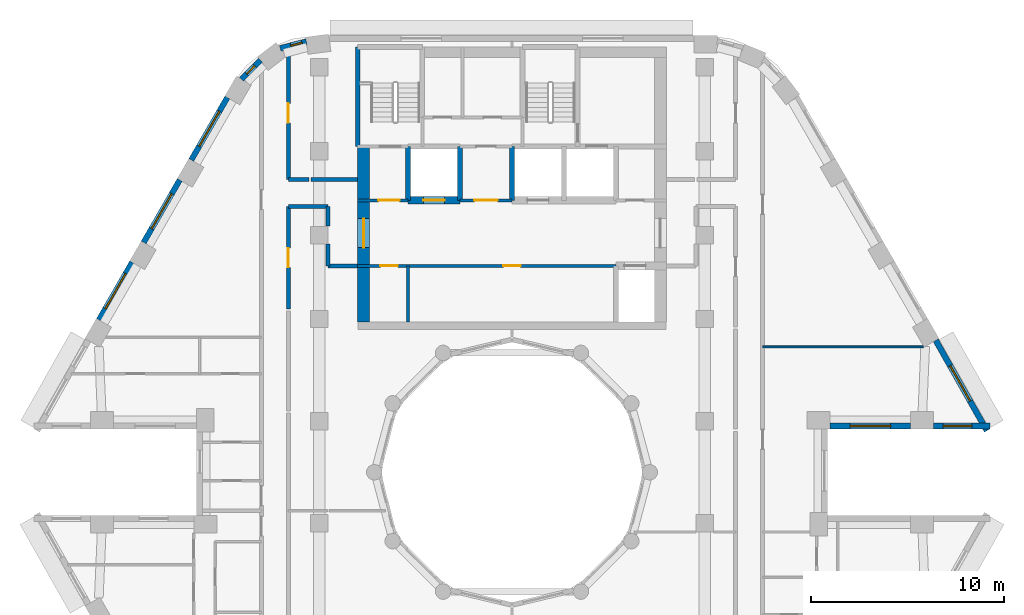
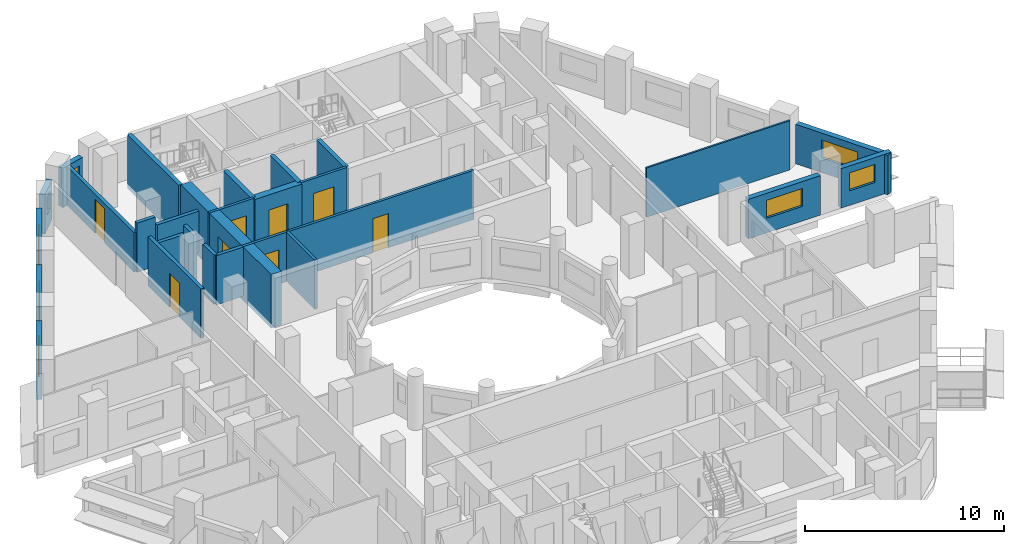
# One storey, part 7 of 15: 27 walls, 8 doors, 8 windows, 16 openings.
"""IFC4 building model written with IfcOpenShell, lengths in metres."""

from ifc_helpers import new_model, si_unit, direction, frame, frame_2d, origin, place, context, subcontext, project, spatial, rectangle, extrude, material, layer, layer_set, type_object, element, fill, save


model = new_model("IFC4")

# Units and contexts
model_context = context("Model", 3, precision=1e-05, world=origin(), true_north=direction((0.0, 1.0)))
body_context = subcontext(model_context, "Body", "Model", "MODEL_VIEW")
ifc_project = project(units=[si_unit("LENGTHUNIT", "METRE"), si_unit("AREAUNIT", "SQUARE_METRE"), si_unit("VOLUMEUNIT", "CUBIC_METRE"), si_unit("PLANEANGLEUNIT", "RADIAN"), si_unit("MASSUNIT", "GRAM", prefix="KILO")], contexts=[model_context])

# Site, building, storey
site_placement = place(None, origin())
site = spatial("IfcSite", under=ifc_project, at=site_placement, CompositionType="ELEMENT")
building_placement = place(site_placement, origin())
building = spatial("IfcBuilding", under=site, at=building_placement, Name="Nakaniwa Court", CompositionType="ELEMENT")
storey_placement = place(building_placement, frame((0.0, 0.0, 213.0)))
storey = spatial("IfcBuildingStorey", under=building, at=storey_placement, Name="L56", CompositionType="ELEMENT", Elevation=213.0)

# Walls
ifc_material_1 = material(Name="Acoustic double stud partition")
ifc_layer_1 = layer(ifc_material_1, 0.199951171875)
ifc_layer_set_1 = layer_set([ifc_layer_1], Name="Acoustic double stud partition")
wall_type_1 = type_object("IfcWallType", Name="Acoustic double stud partition 200", PredefinedType="PARTITIONING", material=ifc_layer_set_1)
wall_1_placement = place(storey_placement, frame((68.39990234375, 93.77490234375, 0.0), z_axis=(0.0, 0.0, 1.0), x_axis=(1.0, 0.0, 0.0)))
element("IfcWall", 1, at=wall_1_placement, inside=storey, type_object=wall_type_1, Name="Partition PW-084", PredefinedType="PARTITIONING", context=body_context, shape_type="SweptSolid", body=[
    extrude(rectangle(XDim=2.050048828125, YDim=0.199951171875, at=frame_2d((1.02490234375, 0.0))), origin(), (0.0, 0.0, 1.0), 2.5048828125),
])
wall_2_placement = place(storey_placement, frame((70.449951171875, 90.699951171875, 0.0), z_axis=(0.0, 0.0, 1.0), x_axis=(1.0, 0.0, 0.0)))
element("IfcWall", 2, at=wall_2_placement, inside=storey, type_object=wall_type_1, Name="Partition PW-086", PredefinedType="PARTITIONING", context=body_context, shape_type="SweptSolid", body=[
    extrude(rectangle(XDim=1.550048828125, YDim=0.199951171875, at=frame_2d((0.77490234375, 0.0))), origin(), (0.0, 0.0, 1.0), 3.02490234375),
])
wall_3_placement = place(storey_placement, frame((68.39990234375, 95.175048828125, 0.0), z_axis=(0.0, 0.0, 1.0), x_axis=(1.0, 0.0, 0.0)))
element("IfcWall", 3, at=wall_3_placement, inside=storey, type_object=wall_type_1, Name="Partition PW-088", PredefinedType="PARTITIONING", context=body_context, shape_type="SweptSolid", body=[
    extrude(rectangle(XDim=1.072998046875, YDim=0.199951171875, at=frame_2d((0.53662109375, 0.0))), origin(), (0.0, 0.0, 1.0), 3.02490234375),
])
wall_4_placement = place(storey_placement, frame((69.587158203125, 95.175048828125, 0.0), z_axis=(0.0, 0.0, 1.0), x_axis=(1.0, 0.0, 0.0)))
element("IfcWall", 4, at=wall_4_placement, inside=storey, type_object=wall_type_1, Name="Partition PW-089", PredefinedType="PARTITIONING", context=body_context, shape_type="SweptSolid", body=[
    extrude(rectangle(XDim=2.412841796875, YDim=0.199951171875, at=frame_2d((1.20654296875, 0.0))), origin(), (0.0, 0.0, 1.0), 2.5048828125),
])

# Wall, opening, door
wall_5_placement = place(storey_placement, frame((68.39990234375, 93.77490234375, 0.0), z_axis=(0.0, 0.0, 1.0), x_axis=(0.0, -1.0, 0.0)))
wall_5 = element("IfcWall", 5, at=wall_5_placement, inside=storey, type_object=wall_type_1, Name="Partition PW-096", PredefinedType="PARTITIONING", context=body_context, shape_type="SweptSolid", body=[
    extrude(rectangle(XDim=5.297607421875, YDim=0.199951171875, at=frame_2d((2.64892578125, 0.0))), origin(), (0.0, 0.0, 1.0), 3.02490234375),
])
opening_1_placement = place(wall_5_placement, frame((2.14794921875, 0.0, 0.0)))
opening_1 = element("IfcOpeningElement", 6, at=opening_1_placement, cuts=wall_5, Name="Opening D-02-07", PredefinedType="OPENING", context=body_context, shape_type="SweptSolid", body=[
    extrude(rectangle(XDim=1.0, YDim=2.10009765625, at=frame_2d((0.5, 1.050048828125))), frame((0.0, 0.10986328125, 0.0), z_axis=(0.0, -1.0, 0.0), x_axis=(1.0, 0.0, 0.0)), (0.0, 0.0, 1.0), 0.219970703125),
])
ifc_material_2 = material(Name="Solid core timber door set, black veneer", Category="wood")
door_type_1 = type_object("IfcDoorType", Name="Internal door 1000", OperationType="NOTDEFINED", PredefinedType="DOOR", material=ifc_material_2)
door_1_placement = place(opening_1_placement, origin())
door_1 = element("IfcDoor", 7, at=door_1_placement, inside=storey, type_object=door_type_1, Name="Door D-02-07 L56-046", OperationType="SINGLE_SWING_LEFT", OverallHeight=2.10009765625, OverallWidth=1.0, PredefinedType="DOOR", context=body_context, shape_type="SweptSolid", body=[
    extrude(rectangle(XDim=1.0, YDim=2.10009765625, at=frame_2d((0.5, 1.050048828125))), frame((0.0, 0.02490234375, 0.0), z_axis=(0.0, -1.0, 0.0), x_axis=(1.0, 0.0, 0.0)), (0.0, 0.0, 1.0), 0.050048828125),
])
fill(opening_1, door_1)

wall_6_placement = place(storey_placement, frame((68.39990234375, 102.07373046875, 0.0), z_axis=(0.0, 0.0, 1.0), x_axis=(0.0, -1.0, 0.0)))
wall_6 = element("IfcWall", 8, at=wall_6_placement, inside=storey, type_object=wall_type_1, Name="Partition PW-097", PredefinedType="PARTITIONING", context=body_context, shape_type="SweptSolid", body=[
    extrude(rectangle(XDim=6.898681640625, YDim=0.199951171875, at=frame_2d((3.44921875, 0.0))), origin(), (0.0, 0.0, 1.0), 2.405029296875),
])
opening_2_placement = place(wall_6_placement, frame((2.948974609375, 0.0, 0.0)))
opening_2 = element("IfcOpeningElement", 9, at=opening_2_placement, cuts=wall_6, Name="Opening D-02-12", PredefinedType="OPENING", context=body_context, shape_type="SweptSolid", body=[
    extrude(rectangle(XDim=1.0, YDim=2.10009765625, at=frame_2d((0.5, 1.050048828125))), frame((0.0, 0.10986328125, 0.0), z_axis=(0.0, -1.0, 0.0), x_axis=(1.0, 0.0, 0.0)), (0.0, 0.0, 1.0), 0.219970703125),
])
door_2_placement = place(opening_2_placement, origin())
door_2 = element("IfcDoor", 10, at=door_2_placement, inside=storey, type_object=door_type_1, Name="Door D-02-12 L56-051", OperationType="SINGLE_SWING_RIGHT", OverallHeight=2.10009765625, OverallWidth=1.0, PredefinedType="DOOR", context=body_context, shape_type="SweptSolid", body=[
    extrude(rectangle(XDim=1.0, YDim=2.10009765625, at=frame_2d((0.5, 1.050048828125))), frame((0.0, 0.02490234375, 0.0), z_axis=(0.0, -1.0, 0.0), x_axis=(1.0, 0.0, 0.0)), (0.0, 0.0, 1.0), 0.050048828125),
])
fill(opening_2, door_2)

# Walls
wall_7_placement = place(storey_placement, frame((70.449951171875, 90.699951171875, 0.0), z_axis=(0.0, 0.0, 1.0), x_axis=(0.0, 1.0, 0.0)))
element("IfcWall", 11, at=wall_7_placement, inside=storey, type_object=wall_type_1, Name="Partition PW-100", PredefinedType="PARTITIONING", context=body_context, shape_type="SweptSolid", body=[
    extrude(rectangle(XDim=1.1328125, YDim=0.199951171875, at=frame_2d((0.56640625, 0.0))), origin(), (0.0, 0.0, 1.0), 3.02490234375),
])
wall_8_placement = place(storey_placement, frame((70.449951171875, 92.76708984375, 0.0), z_axis=(0.0, 0.0, 1.0), x_axis=(0.0, 1.0, 0.0)))
element("IfcWall", 12, at=wall_8_placement, inside=storey, type_object=wall_type_1, Name="Partition PW-101", PredefinedType="PARTITIONING", context=body_context, shape_type="SweptSolid", body=[
    extrude(rectangle(XDim=1.0078125, YDim=0.199951171875, at=frame_2d((0.50390625, 0.0))), origin(), (0.0, 0.0, 1.0), 3.02490234375),
])

# Wall, opening, window
ifc_material_3 = material(Name="Charcoal ceramic cladding")
ifc_layer_2 = layer(ifc_material_3, 0.02, Name="Ceramic cladding")
ifc_material_4 = material(Name="Ventilated air cavity")
ifc_layer_3 = layer(ifc_material_4, 0.04, ventilated=True, Name="Ventilated cavity")
ifc_material_5 = material(Name="Mineral wool insulation")
ifc_layer_4 = layer(ifc_material_5, 0.1, Name="Insulation")
ifc_material_6 = material(Name="Cement bonded sheathing board")
ifc_layer_5 = layer(ifc_material_6, 0.012, Name="Sheathing")
ifc_material_7 = material(Name="Cold-formed galvanised stud frame with mineral wool infill")
ifc_layer_6 = layer(ifc_material_7, 0.1, Name="Stud frame")
ifc_material_8 = material(Name="Fire-rated gypsum plasterboard lining")
ifc_layer_7 = layer(ifc_material_8, 0.028, Name="Lining")
ifc_layer_set_2 = layer_set([ifc_layer_2, ifc_layer_3, ifc_layer_4, ifc_layer_5, ifc_layer_6, ifc_layer_7], Name="Charcoal ceramic faced external wall system")
wall_type_2 = type_object("IfcWallType", Name="Black ceramic faced external wall 300", PredefinedType="SOLIDWALL", material=ifc_layer_set_2)
wall_9_placement = place(storey_placement, frame((96.49560546875, 82.39990234375, 0.0), z_axis=(0.0, 0.0, 1.0), x_axis=(1.0, 0.0, 0.0)))
wall_9 = element("IfcWall", 13, at=wall_9_placement, inside=storey, type_object=wall_type_2, Name="L56 external wall 00", PredefinedType="SOLIDWALL", context=body_context, shape_type="SweptSolid", body=[
    extrude(rectangle(XDim=4.17236328125, YDim=0.300048828125, at=frame_2d((2.086181640625, 0.0))), origin(), (0.0, 0.0, 1.0), 2.425048828125),
])
opening_3_placement = place(wall_9_placement, frame((1.036376953125, 0.0, 0.89990234375)))
opening_3 = element("IfcOpeningElement", 14, at=opening_3_placement, cuts=wall_9, Name="Opening W7.01", PredefinedType="OPENING", context=body_context, shape_type="SweptSolid", body=[
    extrude(rectangle(XDim=2.10009765625, YDim=1.10009765625, at=frame_2d((1.050048828125, 0.550048828125))), frame((0.0, 0.159912109375, 0.0), z_axis=(0.0, -1.0, 0.0), x_axis=(1.0, 0.0, 0.0)), (0.0, 0.0, 1.0), 0.320068359375),
])
ifc_material_9 = material(Name="Black anodised aluminium frame with dark low-E laminated double glazing", Category="aluminium")
window_type_1 = type_object("IfcWindowType", Name="Dark glass window 2100x1100 sill 900", PartitioningType="SINGLE_PANEL", PredefinedType="WINDOW", material=ifc_material_9)
window_1_placement = place(opening_3_placement, origin())
window_1 = element("IfcWindow", 15, at=window_1_placement, inside=storey, type_object=window_type_1, Name="L56 habitable room window 00-0", OverallHeight=1.10009765625, OverallWidth=2.10009765625, PartitioningType="SINGLE_PANEL", PredefinedType="WINDOW", context=body_context, shape_type="SweptSolid", body=[
    extrude(rectangle(XDim=2.10009765625, YDim=1.10009765625, at=frame_2d((1.050048828125, 0.550048828125))), frame((0.0, 0.030029296875, 0.0), z_axis=(0.0, -1.0, 0.0), x_axis=(1.0, 0.0, 0.0)), (0.0, 0.0, 1.0), 0.06005859375),
])
fill(opening_3, window_1)

wall_10_placement = place(storey_placement, frame((101.860107421875, 82.39990234375, 0.0), z_axis=(0.0, 0.0, 1.0), x_axis=(1.0, 0.0, 0.0)))
wall_10 = element("IfcWall", 16, at=wall_10_placement, inside=storey, type_object=wall_type_2, Name="L56 external wall 01", PredefinedType="SOLIDWALL", context=body_context, shape_type="SweptSolid", body=[
    extrude(rectangle(XDim=2.937744140625, YDim=0.300048828125, at=frame_2d((1.46875, 0.0))), origin(), (0.0, 0.0, 1.0), 2.425048828125),
])
opening_4_placement = place(wall_10_placement, frame((0.493896484375, 0.0, 0.89990234375)))
opening_4 = element("IfcOpeningElement", 17, at=opening_4_placement, cuts=wall_10, Name="Opening W5.02", PredefinedType="OPENING", context=body_context, shape_type="SweptSolid", body=[
    extrude(rectangle(XDim=1.5, YDim=1.10009765625, at=frame_2d((0.75, 0.550048828125))), frame((0.0, 0.159912109375, 0.0), z_axis=(0.0, -1.0, 0.0), x_axis=(1.0, 0.0, 0.0)), (0.0, 0.0, 1.0), 0.320068359375),
])
window_type_2 = type_object("IfcWindowType", Name="Dark glass window 1500x1100 sill 900", PartitioningType="SINGLE_PANEL", PredefinedType="WINDOW", material=ifc_material_9)
window_2_placement = place(opening_4_placement, origin())
window_2 = element("IfcWindow", 18, at=window_2_placement, inside=storey, type_object=window_type_2, Name="L56 habitable room window 01-0", OverallHeight=1.10009765625, OverallWidth=1.5, PartitioningType="SINGLE_PANEL", PredefinedType="WINDOW", context=body_context, shape_type="SweptSolid", body=[
    extrude(rectangle(XDim=1.5, YDim=1.10009765625, at=frame_2d((0.75, 0.550048828125))), frame((0.0, 0.030029296875, 0.0), z_axis=(0.0, -1.0, 0.0), x_axis=(1.0, 0.0, 0.0)), (0.0, 0.0, 1.0), 0.06005859375),
])
fill(opening_4, window_2)

wall_11_placement = place(storey_placement, frame((104.627197265625, 82.153564453125, 0.0), z_axis=(0.0, 0.0, 1.0), x_axis=(-0.492033360928, 0.870576344575, 0.0)))
wall_11 = element("IfcWall", 19, at=wall_11_placement, inside=storey, type_object=wall_type_2, Name="L56 external wall 02", PredefinedType="SOLIDWALL", context=body_context, shape_type="SweptSolid", body=[
    extrude(rectangle(XDim=5.38671875, YDim=0.300048828125, at=frame_2d((2.693359375, 0.0))), origin(), (0.0, 0.0, 1.0), 2.425048828125),
])
opening_5_placement = place(wall_11_placement, frame((1.77001953125, 0.0, 0.89990234375)))
opening_5 = element("IfcOpeningElement", 20, at=opening_5_placement, cuts=wall_11, Name="Opening W7.03", PredefinedType="OPENING", context=body_context, shape_type="SweptSolid", body=[
    extrude(rectangle(XDim=2.10009765625, YDim=1.10009765625, at=frame_2d((1.050048828125, 0.550048828125))), frame((0.0, 0.159912109375, 0.0), z_axis=(0.0, -1.0, 0.0), x_axis=(1.0, 0.0, 0.0)), (0.0, 0.0, 1.0), 0.320068359375),
])
window_3_placement = place(opening_5_placement, origin())
window_3 = element("IfcWindow", 21, at=window_3_placement, inside=storey, type_object=window_type_1, Name="L56 habitable room window 02-0", OverallHeight=1.10009765625, OverallWidth=2.10009765625, PartitioningType="SINGLE_PANEL", PredefinedType="WINDOW", context=body_context, shape_type="SweptSolid", body=[
    extrude(rectangle(XDim=2.10009765625, YDim=1.10009765625, at=frame_2d((1.050048828125, 0.550048828125))), frame((0.0, 0.030029296875, 0.0), z_axis=(0.0, -1.0, 0.0), x_axis=(1.0, 0.0, 0.0)), (0.0, 0.0, 1.0), 0.06005859375),
])
fill(opening_5, window_3)

wall_12_placement = place(storey_placement, frame((69.3359375, 102.333251953125, 0.0), z_axis=(0.0, 0.0, 1.0), x_axis=(-0.969037396898, -0.246914000036, 0.0)))
wall_12 = element("IfcWall", 22, at=wall_12_placement, inside=storey, type_object=wall_type_2, Name="L56 external wall 09", PredefinedType="SOLIDWALL", context=body_context, shape_type="SweptSolid", body=[
    extrude(rectangle(XDim=1.403076171875, YDim=0.300048828125, at=frame_2d((0.70166015625, 0.0))), origin(), (0.0, 0.0, 1.0), 2.425048828125),
])
opening_6_placement = place(wall_12_placement, frame((0.22900390625, 0.0, 0.89990234375)))
opening_6 = element("IfcOpeningElement", 23, at=opening_6_placement, cuts=wall_12, Name="Opening W8.11", PredefinedType="OPENING", context=body_context, shape_type="SweptSolid", body=[
    extrude(rectangle(XDim=0.60009765625, YDim=1.10009765625, at=frame_2d((0.300048828125, 0.550048828125))), frame((0.0, 0.159912109375, 0.0), z_axis=(0.0, -1.0, 0.0), x_axis=(1.0, 0.0, 0.0)), (0.0, 0.0, 1.0), 0.320068359375),
])
window_type_3 = type_object("IfcWindowType", Name="Dark glass window 600x1100 sill 900", PartitioningType="SINGLE_PANEL", PredefinedType="WINDOW", material=ifc_material_9)
window_4_placement = place(opening_6_placement, origin())
window_4 = element("IfcWindow", 24, at=window_4_placement, inside=storey, type_object=window_type_3, Name="L56 habitable room window 09-0", OverallHeight=1.10009765625, OverallWidth=0.60009765625, PartitioningType="SINGLE_PANEL", PredefinedType="WINDOW", context=body_context, shape_type="SweptSolid", body=[
    extrude(rectangle(XDim=0.60009765625, YDim=1.10009765625, at=frame_2d((0.300048828125, 0.550048828125))), frame((0.0, 0.030029296875, 0.0), z_axis=(0.0, -1.0, 0.0), x_axis=(1.0, 0.0, 0.0)), (0.0, 0.0, 1.0), 0.06005859375),
])
fill(opening_6, window_4)

wall_13_placement = place(storey_placement, frame((66.951904296875, 101.36328125, 0.0), z_axis=(0.0, 0.0, 1.0), x_axis=(-0.70869320446, -0.705516790695, 0.0)))
wall_13 = element("IfcWall", 25, at=wall_13_placement, inside=storey, type_object=wall_type_2, Name="L56 external wall 10", PredefinedType="SOLIDWALL", context=body_context, shape_type="SweptSolid", body=[
    extrude(rectangle(XDim=1.383544921875, YDim=0.300048828125, at=frame_2d((0.69189453125, 0.0))), origin(), (0.0, 0.0, 1.0), 2.425048828125),
])
opening_7_placement = place(wall_13_placement, frame((0.407958984375, 0.0, 0.89990234375)))
opening_7 = element("IfcOpeningElement", 26, at=opening_7_placement, cuts=wall_13, Name="Opening W8.12", PredefinedType="OPENING", context=body_context, shape_type="SweptSolid", body=[
    extrude(rectangle(XDim=0.60009765625, YDim=1.10009765625, at=frame_2d((0.300048828125, 0.550048828125))), frame((0.0, 0.159912109375, 0.0), z_axis=(0.0, -1.0, 0.0), x_axis=(1.0, 0.0, 0.0)), (0.0, 0.0, 1.0), 0.320068359375),
])
window_5_placement = place(opening_7_placement, origin())
window_5 = element("IfcWindow", 27, at=window_5_placement, inside=storey, type_object=window_type_3, Name="L56 habitable room window 10-1", OverallHeight=1.10009765625, OverallWidth=0.60009765625, PartitioningType="SINGLE_PANEL", PredefinedType="WINDOW", context=body_context, shape_type="SweptSolid", body=[
    extrude(rectangle(XDim=0.60009765625, YDim=1.10009765625, at=frame_2d((0.300048828125, 0.550048828125))), frame((0.0, 0.030029296875, 0.0), z_axis=(0.0, -1.0, 0.0), x_axis=(1.0, 0.0, 0.0)), (0.0, 0.0, 1.0), 0.06005859375),
])
fill(opening_7, window_5)

wall_14_placement = place(storey_placement, frame((65.239013671875, 99.433349609375, 0.0), z_axis=(0.0, 0.0, 1.0), x_axis=(-0.499982088007, -0.866035745032, 0.0)))
wall_14 = element("IfcWall", 28, at=wall_14_placement, inside=storey, type_object=wall_type_2, Name="L56 external wall 11", PredefinedType="SOLIDWALL", context=body_context, shape_type="SweptSolid", body=[
    extrude(rectangle(XDim=3.744384765625, YDim=0.300048828125, at=frame_2d((1.8720703125, 0.0))), origin(), (0.0, 0.0, 1.0), 2.425048828125),
])
opening_8_placement = place(wall_14_placement, frame((0.822265625, 0.0, 0.89990234375)))
opening_8 = element("IfcOpeningElement", 29, at=opening_8_placement, cuts=wall_14, Name="Opening W7.13", PredefinedType="OPENING", context=body_context, shape_type="SweptSolid", body=[
    extrude(rectangle(XDim=2.10009765625, YDim=1.10009765625, at=frame_2d((1.050048828125, 0.550048828125))), frame((0.0, 0.159912109375, 0.0), z_axis=(0.0, -1.0, 0.0), x_axis=(1.0, 0.0, 0.0)), (0.0, 0.0, 1.0), 0.320068359375),
])
window_6_placement = place(opening_8_placement, origin())
window_6 = element("IfcWindow", 30, at=window_6_placement, inside=storey, type_object=window_type_1, Name="L56 habitable room window 11-0", OverallHeight=1.10009765625, OverallWidth=2.10009765625, PartitioningType="SINGLE_PANEL", PredefinedType="WINDOW", context=body_context, shape_type="SweptSolid", body=[
    extrude(rectangle(XDim=2.10009765625, YDim=1.10009765625, at=frame_2d((1.050048828125, 0.550048828125))), frame((0.0, 0.030029296875, 0.0), z_axis=(0.0, -1.0, 0.0), x_axis=(1.0, 0.0, 0.0)), (0.0, 0.0, 1.0), 0.06005859375),
])
fill(opening_8, window_6)

wall_15_placement = place(storey_placement, frame((62.77099609375, 95.158447265625, 0.0), z_axis=(0.0, 0.0, 1.0), x_axis=(-0.500059225181, -0.86599120741, 0.0)))
wall_15 = element("IfcWall", 31, at=wall_15_placement, inside=storey, type_object=wall_type_2, Name="L56 external wall 12", PredefinedType="SOLIDWALL", context=body_context, shape_type="SweptSolid", body=[
    extrude(rectangle(XDim=3.744140625, YDim=0.300048828125, at=frame_2d((1.8720703125, 0.0))), origin(), (0.0, 0.0, 1.0), 2.425048828125),
])
opening_9_placement = place(wall_15_placement, frame((0.822265625, 0.0, 0.89990234375)))
opening_9 = element("IfcOpeningElement", 32, at=opening_9_placement, cuts=wall_15, Name="Opening W7.14", PredefinedType="OPENING", context=body_context, shape_type="SweptSolid", body=[
    extrude(rectangle(XDim=2.10009765625, YDim=1.10009765625, at=frame_2d((1.050048828125, 0.550048828125))), frame((0.0, 0.159912109375, 0.0), z_axis=(0.0, -1.0, 0.0), x_axis=(1.0, 0.0, 0.0)), (0.0, 0.0, 1.0), 0.320068359375),
])
window_7_placement = place(opening_9_placement, origin())
window_7 = element("IfcWindow", 33, at=window_7_placement, inside=storey, type_object=window_type_1, Name="L56 habitable room window 12-0", OverallHeight=1.10009765625, OverallWidth=2.10009765625, PartitioningType="SINGLE_PANEL", PredefinedType="WINDOW", context=body_context, shape_type="SweptSolid", body=[
    extrude(rectangle(XDim=2.10009765625, YDim=1.10009765625, at=frame_2d((1.050048828125, 0.550048828125))), frame((0.0, 0.030029296875, 0.0), z_axis=(0.0, -1.0, 0.0), x_axis=(1.0, 0.0, 0.0)), (0.0, 0.0, 1.0), 0.06005859375),
])
fill(opening_9, window_7)

wall_16_placement = place(storey_placement, frame((60.302734375, 90.883544921875, 0.0), z_axis=(0.0, 0.0, 1.0), x_axis=(-0.499955427682, -0.866051136095, 0.0)))
wall_16 = element("IfcWall", 34, at=wall_16_placement, inside=storey, type_object=wall_type_2, Name="L56 external wall 13", PredefinedType="SOLIDWALL", context=body_context, shape_type="SweptSolid", body=[
    extrude(rectangle(XDim=3.447021484375, YDim=0.300048828125, at=frame_2d((1.7236328125, 0.0))), origin(), (0.0, 0.0, 1.0), 2.425048828125),
])
opening_10_placement = place(wall_16_placement, frame((0.673583984375, 0.0, 0.89990234375)))
opening_10 = element("IfcOpeningElement", 35, at=opening_10_placement, cuts=wall_16, Name="Opening W7.15", PredefinedType="OPENING", context=body_context, shape_type="SweptSolid", body=[
    extrude(rectangle(XDim=2.10009765625, YDim=1.10009765625, at=frame_2d((1.050048828125, 0.550048828125))), frame((0.0, 0.159912109375, 0.0), z_axis=(0.0, -1.0, 0.0), x_axis=(1.0, 0.0, 0.0)), (0.0, 0.0, 1.0), 0.320068359375),
])
window_8_placement = place(opening_10_placement, origin())
window_8 = element("IfcWindow", 36, at=window_8_placement, inside=storey, type_object=window_type_1, Name="L56 habitable room window 13-0", OverallHeight=1.10009765625, OverallWidth=2.10009765625, PartitioningType="SINGLE_PANEL", PredefinedType="WINDOW", context=body_context, shape_type="SweptSolid", body=[
    extrude(rectangle(XDim=2.10009765625, YDim=1.10009765625, at=frame_2d((1.050048828125, 0.550048828125))), frame((0.0, 0.030029296875, 0.0), z_axis=(0.0, -1.0, 0.0), x_axis=(1.0, 0.0, 0.0)), (0.0, 0.0, 1.0), 0.06005859375),
])
fill(opening_10, window_8)

# Wall
ifc_material_10 = material(Name="Blockwork partition", Category="masonry")
ifc_layer_8 = layer(ifc_material_10, 0.14990234375)
ifc_layer_set_3 = layer_set([ifc_layer_8], Name="Blockwork partition")
wall_type_3 = type_object("IfcWallType", Name="Blockwork partition 150", PredefinedType="PARTITIONING", material=ifc_layer_set_3)
wall_17_placement = place(storey_placement, frame((74.60009765625, 87.800048828125, 0.0), z_axis=(0.0, 0.0, 1.0), x_axis=(0.0, 1.0, 0.0)))
element("IfcWall", 37, at=wall_17_placement, inside=storey, type_object=wall_type_3, Name="Partition PW-001", PredefinedType="PARTITIONING", context=body_context, shape_type="SweptSolid", body=[
    extrude(rectangle(XDim=2.89990234375, YDim=0.14990234375, at=frame_2d((1.449951171875, 0.0))), origin(), (0.0, 0.0, 1.0), 3.02490234375),
])

# Wall, openings, doors
wall_18_placement = place(storey_placement, frame((85.39990234375, 90.699951171875, 0.0), z_axis=(0.0, 0.0, 1.0), x_axis=(-1.0, 0.0, 0.0)))
wall_18 = element("IfcWall", 38, at=wall_18_placement, inside=storey, type_object=wall_type_3, Name="Partition PW-002", PredefinedType="PARTITIONING", context=body_context, shape_type="SweptSolid", body=[
    extrude(rectangle(XDim=13.39990234375, YDim=0.14990234375, at=frame_2d((6.699951171875, 0.0))), origin(), (0.0, 0.0, 1.0), 3.02490234375),
])
opening_11_placement = place(wall_18_placement, frame((11.324951171875, 0.0, 0.0)))
opening_11 = element("IfcOpeningElement", 39, at=opening_11_placement, cuts=wall_18, Name="Opening D-05-01", PredefinedType="OPENING", context=body_context, shape_type="SweptSolid", body=[
    extrude(rectangle(XDim=0.89990234375, YDim=2.10009765625, at=frame_2d((0.449951171875, 1.050048828125))), frame((0.0, 0.0849609375, 0.0), z_axis=(0.0, -1.0, 0.0), x_axis=(1.0, 0.0, 0.0)), (0.0, 0.0, 1.0), 0.169921875),
])
opening_12_placement = place(wall_18_placement, frame((4.949951171875, 0.0, 0.0)))
opening_12 = element("IfcOpeningElement", 40, at=opening_12_placement, cuts=wall_18, Name="Opening D-05-02", PredefinedType="OPENING", context=body_context, shape_type="SweptSolid", body=[
    extrude(rectangle(XDim=0.89990234375, YDim=2.10009765625, at=frame_2d((0.449951171875, 1.050048828125))), frame((0.0, 0.0849609375, 0.0), z_axis=(0.0, -1.0, 0.0), x_axis=(1.0, 0.0, 0.0)), (0.0, 0.0, 1.0), 0.169921875),
])
ifc_material_11 = material(Name="Fire rated steel door set", Category="steel")
door_type_2 = type_object("IfcDoorType", Name="Service room door 900", OperationType="NOTDEFINED", PredefinedType="DOOR", material=ifc_material_11)
door_3_placement = place(opening_11_placement, origin())
door_3 = element("IfcDoor", 41, at=door_3_placement, inside=storey, type_object=door_type_2, Name="Door D-05-01 L56-001", OperationType="SINGLE_SWING_RIGHT", OverallHeight=2.10009765625, OverallWidth=0.89990234375, PredefinedType="DOOR", context=body_context, shape_type="SweptSolid", body=[
    extrude(rectangle(XDim=0.89990234375, YDim=2.10009765625, at=frame_2d((0.449951171875, 1.050048828125))), frame((0.0, 0.02490234375, 0.0), z_axis=(0.0, -1.0, 0.0), x_axis=(1.0, 0.0, 0.0)), (0.0, 0.0, 1.0), 0.050048828125),
])
fill(opening_11, door_3)
door_4_placement = place(opening_12_placement, origin())
door_4 = element("IfcDoor", 42, at=door_4_placement, inside=storey, type_object=door_type_2, Name="Door D-05-02 L56-002", OperationType="SINGLE_SWING_LEFT", OverallHeight=2.10009765625, OverallWidth=0.89990234375, PredefinedType="DOOR", context=body_context, shape_type="SweptSolid", body=[
    extrude(rectangle(XDim=0.89990234375, YDim=2.10009765625, at=frame_2d((0.449951171875, 1.050048828125))), frame((0.0, 0.02490234375, 0.0), z_axis=(0.0, -1.0, 0.0), x_axis=(1.0, 0.0, 0.0)), (0.0, 0.0, 1.0), 0.050048828125),
])
fill(opening_12, door_4)

# Wall, opening, door
wall_19_placement = place(storey_placement, frame((72.0, 94.10009765625, 0.0), z_axis=(0.0, 0.0, 1.0), x_axis=(1.0, 0.0, 0.0)))
wall_19 = element("IfcWall", 43, at=wall_19_placement, inside=storey, type_object=wall_type_3, Name="Partition PW-008", PredefinedType="PARTITIONING", context=body_context, shape_type="SweptSolid", body=[
    extrude(rectangle(XDim=2.60302734375, YDim=0.14990234375, at=frame_2d((1.301513671875, 0.0))), origin(), (0.0, 0.0, 1.0), 3.02490234375),
])
opening_13_placement = place(wall_19_placement, frame((1.074951171875, 0.0, 0.0)))
opening_13 = element("IfcOpeningElement", 44, at=opening_13_placement, cuts=wall_19, Name="Opening D-08-01", PredefinedType="OPENING", context=body_context, shape_type="SweptSolid", body=[
    extrude(rectangle(XDim=1.10009765625, YDim=2.10009765625, at=frame_2d((0.550048828125, 1.050048828125))), frame((0.0, 0.0849609375, 0.0), z_axis=(0.0, -1.0, 0.0), x_axis=(1.0, 0.0, 0.0)), (0.0, 0.0, 1.0), 0.169921875),
])
door_type_3 = type_object("IfcDoorType", Name="Stair lobby door 1100", OperationType="NOTDEFINED", PredefinedType="DOOR", material=ifc_material_11)
door_5_placement = place(opening_13_placement, origin())
door_5 = element("IfcDoor", 45, at=door_5_placement, inside=storey, type_object=door_type_3, Name="Door D-08-01 L56-003", OperationType="SINGLE_SWING_RIGHT", OverallHeight=2.10009765625, OverallWidth=1.10009765625, PredefinedType="DOOR", context=body_context, shape_type="SweptSolid", body=[
    extrude(rectangle(XDim=1.10009765625, YDim=2.10009765625, at=frame_2d((0.550048828125, 1.050048828125))), frame((0.0, 0.02490234375, 0.0), z_axis=(0.0, -1.0, 0.0), x_axis=(1.0, 0.0, 0.0)), (0.0, 0.0, 1.0), 0.050048828125),
])
fill(opening_13, door_5)

wall_20_placement = place(storey_placement, frame((77.297119140625, 94.10009765625, 0.0), z_axis=(0.0, 0.0, 1.0), x_axis=(1.0, 0.0, 0.0)))
wall_20 = element("IfcWall", 46, at=wall_20_placement, inside=storey, type_object=wall_type_3, Name="Partition PW-009", PredefinedType="PARTITIONING", context=body_context, shape_type="SweptSolid", body=[
    extrude(rectangle(XDim=2.705810546875, YDim=0.14990234375, at=frame_2d((1.35302734375, 0.0))), origin(), (0.0, 0.0, 1.0), 3.02490234375),
])
opening_14_placement = place(wall_20_placement, frame((0.7529296875, 0.0, 0.0)))
opening_14 = element("IfcOpeningElement", 47, at=opening_14_placement, cuts=wall_20, Name="Opening D-06-01", PredefinedType="OPENING", context=body_context, shape_type="SweptSolid", body=[
    extrude(rectangle(XDim=1.199951171875, YDim=2.10009765625, at=frame_2d((0.60009765625, 1.050048828125))), frame((0.0, 0.0849609375, 0.0), z_axis=(0.0, -1.0, 0.0), x_axis=(1.0, 0.0, 0.0)), (0.0, 0.0, 1.0), 0.169921875),
])
ifc_material_12 = material(Name="Fire rated steel double door set", Category="steel")
door_type_4 = type_object("IfcDoorType", Name="Service passage double door 1200", OperationType="NOTDEFINED", PredefinedType="DOOR", material=ifc_material_12)
door_6_placement = place(opening_14_placement, origin())
door_6 = element("IfcDoor", 48, at=door_6_placement, inside=storey, type_object=door_type_4, Name="Door D-06-01 L56-004", OperationType="DOUBLE_DOOR_SINGLE_SWING", OverallHeight=2.10009765625, OverallWidth=1.199951171875, PredefinedType="DOOR", context=body_context, shape_type="SweptSolid", body=[
    extrude(rectangle(XDim=1.199951171875, YDim=2.10009765625, at=frame_2d((0.60009765625, 1.050048828125))), frame((0.0, 0.02490234375, 0.0), z_axis=(0.0, -1.0, 0.0), x_axis=(1.0, 0.0, 0.0)), (0.0, 0.0, 1.0), 0.050048828125),
])
fill(opening_14, door_6)

ifc_material_13 = material(Name="Concrete C80/100", Category="concrete")
ifc_layer_9 = layer(ifc_material_13, 0.60009765625)
ifc_layer_set_4 = layer_set([ifc_layer_9], Name="Concrete C80/100")
wall_type_4 = type_object("IfcWallType", Name="Concrete core side wall 600 C80", PredefinedType="SHEAR", material=ifc_layer_set_4)
wall_21_placement = place(storey_placement, frame((72.300048828125, 87.800048828125, -0.27490234375), z_axis=(0.0, 0.0, 1.0), x_axis=(0.0, 1.0, 0.0)))
wall_21 = element("IfcWall", 49, at=wall_21_placement, inside=storey, type_object=wall_type_4, Name="Core wall SW-03", PredefinedType="SHEAR", context=body_context, shape_type="SweptSolid", body=[
    extrude(rectangle(XDim=9.099853515625, YDim=0.60009765625, at=frame_2d((4.5498046875, 0.0))), origin(), (0.0, 0.0, 1.0), 3.2998046875),
])
opening_15_placement = place(wall_21_placement, frame((3.85205078125, 0.0, 0.27490234375)))
opening_15 = element("IfcOpeningElement", 50, at=opening_15_placement, cuts=wall_21, Name="Opening D-07-02", PredefinedType="OPENING", context=body_context, shape_type="SweptSolid", body=[
    extrude(rectangle(XDim=1.5, YDim=2.10009765625, at=frame_2d((0.75, 1.050048828125))), frame((0.0, 0.31005859375, 0.0), z_axis=(0.0, -1.0, 0.0), x_axis=(1.0, 0.0, 0.0)), (0.0, 0.0, 1.0), 0.6201171875),
])
ifc_material_14 = material(Name="Glazed fire rated steel double door set", Category="steel")
door_type_5 = type_object("IfcDoorType", Name="Lobby double door 1500", OperationType="NOTDEFINED", PredefinedType="DOOR", material=ifc_material_14)
door_7_placement = place(opening_15_placement, origin())
door_7 = element("IfcDoor", 51, at=door_7_placement, inside=storey, type_object=door_type_5, Name="Door D-07-02 L56-053", OperationType="DOUBLE_DOOR_SINGLE_SWING", OverallHeight=2.10009765625, OverallWidth=1.5, PredefinedType="DOOR", context=body_context, shape_type="SweptSolid", body=[
    extrude(rectangle(XDim=1.5, YDim=2.10009765625, at=frame_2d((0.75, 1.050048828125))), frame((0.0, 0.02490234375, 0.0), z_axis=(0.0, -1.0, 0.0), x_axis=(1.0, 0.0, 0.0)), (0.0, 0.0, 1.0), 0.050048828125),
])
fill(opening_15, door_7)

ifc_layer_10 = layer(ifc_material_13, 0.39990234375)
ifc_layer_set_5 = layer_set([ifc_layer_10], Name="Concrete C80/100")
wall_type_5 = type_object("IfcWallType", Name="Concrete core spine wall 400 C80", PredefinedType="SHEAR", material=ifc_layer_set_5)
wall_22_placement = place(storey_placement, frame((74.596923828125, 94.10009765625, -0.27490234375), z_axis=(0.0, 0.0, 1.0), x_axis=(1.0, 0.0, 0.0)))
wall_22 = element("IfcWall", 52, at=wall_22_placement, inside=storey, type_object=wall_type_5, Name="Core wall SW-11", PredefinedType="SHEAR", context=body_context, shape_type="SweptSolid", body=[
    extrude(rectangle(XDim=2.7060546875, YDim=0.39990234375, at=frame_2d((1.35302734375, 0.0))), origin(), (0.0, 0.0, 1.0), 3.2998046875),
])
opening_16_placement = place(wall_22_placement, frame((0.802978515625, 0.0, 0.27490234375)))
opening_16 = element("IfcOpeningElement", 53, at=opening_16_placement, cuts=wall_22, Name="Opening LD02", PredefinedType="OPENING", context=body_context, shape_type="SweptSolid", body=[
    extrude(rectangle(XDim=1.10009765625, YDim=2.10009765625, at=frame_2d((0.550048828125, 1.050048828125))), frame((0.0, 0.2099609375, 0.0), z_axis=(0.0, -1.0, 0.0), x_axis=(1.0, 0.0, 0.0)), (0.0, 0.0, 1.0), 0.419921875),
])
ifc_material_15 = material(Name="Stainless steel sliding lift landing door", Category="steel")
door_type_6 = type_object("IfcDoorType", Name="Lift landing door 1100", OperationType="NOTDEFINED", PredefinedType="DOOR", material=ifc_material_15)
door_8_placement = place(opening_16_placement, origin())
door_8 = element("IfcDoor", 54, at=door_8_placement, inside=storey, type_object=door_type_6, Name="Lift landing door LD02 L56-002", OperationType="SLIDING_TO_LEFT", OverallHeight=2.10009765625, OverallWidth=1.10009765625, PredefinedType="DOOR", context=body_context, shape_type="SweptSolid", body=[
    extrude(rectangle(XDim=1.10009765625, YDim=2.10009765625, at=frame_2d((0.550048828125, 1.050048828125))), frame((0.0, 0.02490234375, 0.0), z_axis=(0.0, -1.0, 0.0), x_axis=(1.0, 0.0, 0.0)), (0.0, 0.0, 1.0), 0.050048828125),
])
fill(opening_16, door_8)

# Walls
ifc_layer_11 = layer(ifc_material_13, 0.25)
ifc_layer_set_6 = layer_set([ifc_layer_11], Name="Concrete C80/100")
wall_type_6 = type_object("IfcWallType", Name="Concrete core wall 250 C80", PredefinedType="SHEAR", material=ifc_layer_set_6)
wall_23_placement = place(storey_placement, frame((72.0, 96.89990234375, -0.27490234375), z_axis=(0.0, 0.0, 1.0), x_axis=(0.0, 1.0, 0.0)))
element("IfcWall", 55, at=wall_23_placement, inside=storey, type_object=wall_type_6, Name="Core wall SW-25", PredefinedType="SHEAR", context=body_context, shape_type="SweptSolid", body=[
    extrude(rectangle(XDim=5.150146484375, YDim=0.25, at=frame_2d((2.5751953125, 0.0))), origin(), (0.0, 0.0, 1.0), 3.2998046875),
])
ifc_layer_12 = layer(ifc_material_13, 0.25)
ifc_layer_set_7 = layer_set([ifc_layer_12], Name="Concrete C80/100")
wall_type_7 = type_object("IfcWallType", Name="Concrete shaft wall 250 C80", PredefinedType="SHEAR", material=ifc_layer_set_7)
for number, where, z_axis, x_axis, name in (
    (56, (74.60009765625, 94.10009765625, -0.27490234375), (0.0, 0.0, 1.0), (0.0, 1.0, 0.0), "Core wall SW-13"),
    (57, (77.300048828125, 94.10009765625, -0.27490234375), (0.0, 0.0, 1.0), (0.0, 1.0, 0.0), "Core wall SW-15"),
    (58, (80.0, 94.10009765625, -0.27490234375), (0.0, 0.0, 1.0), (0.0, 1.0, 0.0), "Core wall SW-18"),
):
    element("IfcWall", number, at=place(storey_placement, frame(where, z_axis=z_axis, x_axis=x_axis)), inside=storey, type_object=wall_type_7, Name=name, PredefinedType="SHEAR", context=body_context, shape_type="SweptSolid", body=[
        extrude(rectangle(XDim=2.7998046875, YDim=0.25, at=frame_2d((1.39990234375, 0.0))), origin(), (0.0, 0.0, 1.0), 3.2998046875),
    ])
ifc_material_16 = material(Name="Single stud plasterboard partition")
ifc_layer_13 = layer(ifc_material_16, 0.10009765625)
ifc_layer_set_8 = layer_set([ifc_layer_13], Name="Single stud plasterboard partition")
wall_type_8 = type_object("IfcWallType", Name="Single stud plasterboard partition 100", PredefinedType="PARTITIONING", material=ifc_layer_set_8)
wall_24_placement = place(storey_placement, frame((93.0009765625, 86.5, 0.0), z_axis=(0.0, 0.0, 1.0), x_axis=(1.0, 0.0, 0.0)))
element("IfcWall", 59, at=wall_24_placement, inside=storey, type_object=wall_type_8, Name="Partition PW-118", PredefinedType="PARTITIONING", context=body_context, shape_type="SweptSolid", body=[
    extrude(rectangle(XDim=8.337890625, YDim=0.10009765625, at=frame_2d((4.1689453125, 0.0))), origin(), (0.0, 0.0, 1.0), 3.02490234375),
])

save(model, "model.ifc")
